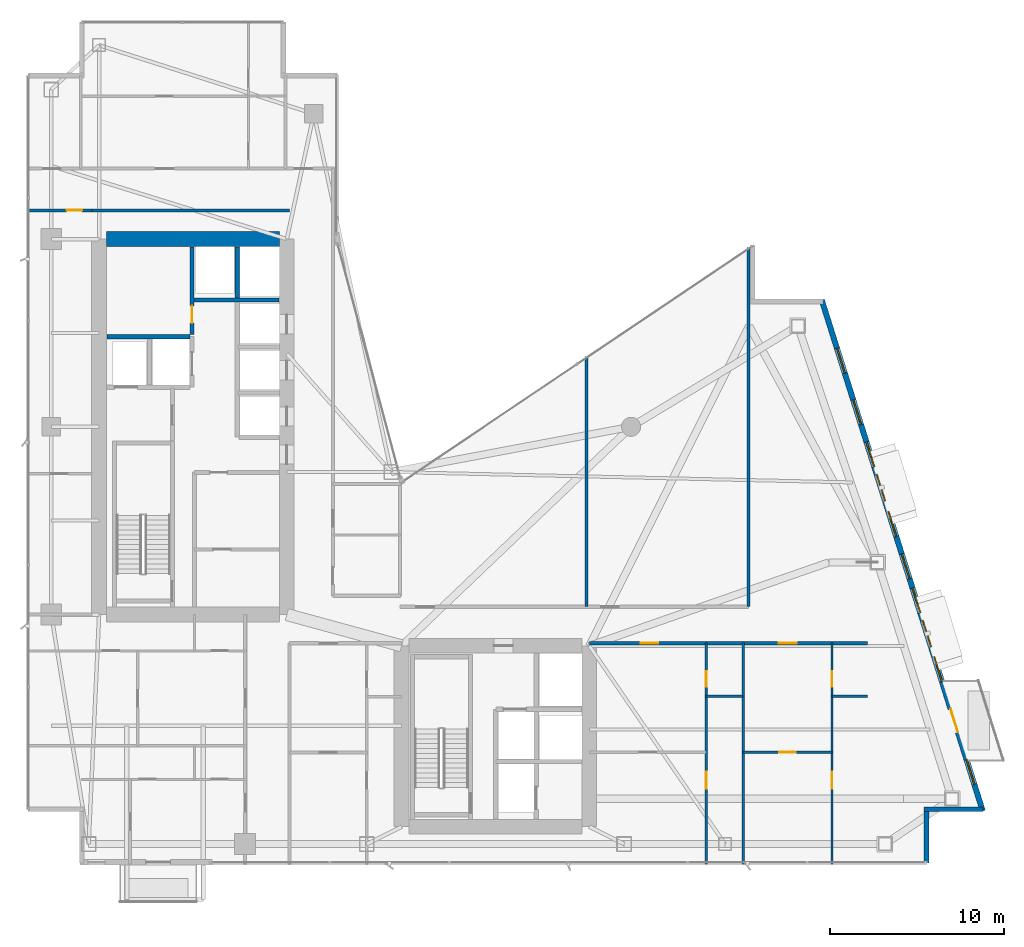
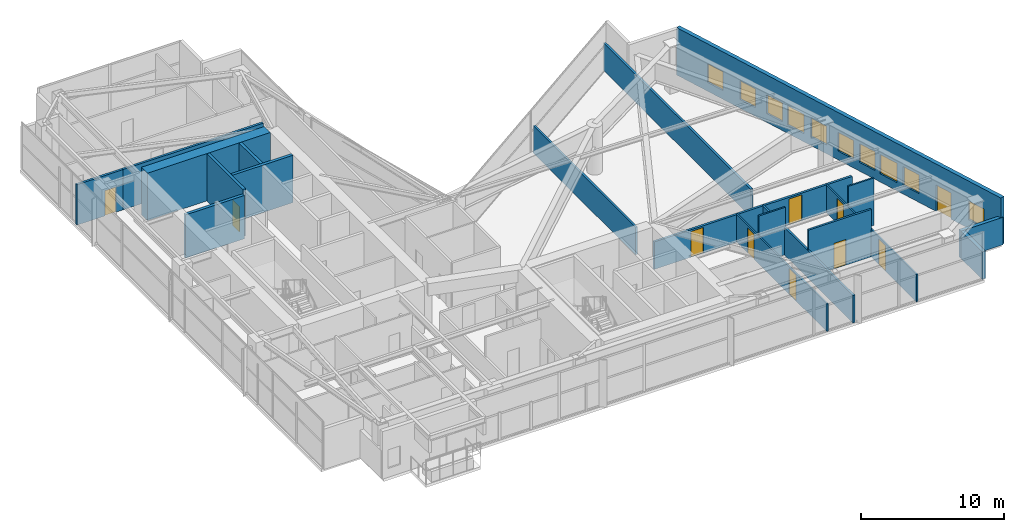
# One storey, part 26 of 30: 19 walls, 10 doors, 10 windows, 20 openings.
"""IFC4 building model written with IfcOpenShell, lengths in metres."""

from ifc_helpers import new_model, si_unit, direction, frame, frame_2d, origin, place, context, subcontext, project, spatial, rectangle, extrude, material, layer, layer_set, type_object, element, fill, save


model = new_model("IFC4")

# Units and contexts
model_context = context("Model", 3, precision=1e-05, world=origin(), true_north=direction((0.0, 1.0)))
body_context = subcontext(model_context, "Body", "Model", "MODEL_VIEW")
ifc_project = project(units=[si_unit("LENGTHUNIT", "METRE"), si_unit("AREAUNIT", "SQUARE_METRE"), si_unit("VOLUMEUNIT", "CUBIC_METRE"), si_unit("PLANEANGLEUNIT", "RADIAN"), si_unit("MASSUNIT", "GRAM", prefix="KILO")], contexts=[model_context])

# Site, building, storey
site_placement = place(None, origin())
site = spatial("IfcSite", under=ifc_project, at=site_placement, CompositionType="ELEMENT")
building_placement = place(site_placement, origin())
building = spatial("IfcBuilding", under=site, at=building_placement, Name="Calvorn Quay Hotel", CompositionType="ELEMENT")
storey_placement = place(building_placement, frame((0.0, 0.0, 195.10009765625)))
storey = spatial("IfcBuildingStorey", under=building, at=storey_placement, Name="L48", CompositionType="ELEMENT", Elevation=195.10009765625)

# Wall
ifc_material_1 = material(Name="Concrete C50", Category="concrete")
ifc_layer_1 = layer(ifc_material_1, 0.85009765625)
ifc_layer_set_1 = layer_set([ifc_layer_1], Name="WL-CORE-850")
wall_type_1 = type_object("IfcWallType", Name="WL-CORE-850", PredefinedType="SHEAR", material=ifc_layer_set_1)
wall_1_placement = place(storey_placement, frame((4.625, 38.39990234375, 0.0), z_axis=(0.0, 0.0, 1.0), x_axis=(1.0, 0.0, 0.0)))
element("IfcWall", 1, at=wall_1_placement, inside=storey, type_object=wall_type_1, Name="West Core Shear Wall N (L48)", PredefinedType="SHEAR", context=body_context, shape_type="SweptSolid", body=[
    extrude(rectangle(XDim=9.949951171875, YDim=0.85009765625, at=frame_2d((4.97509765625, 0.0))), origin(), (0.0, 0.0, 1.0), 4.0498046875),
])

# Wall, opening, door
ifc_material_2 = material(Name="Acoustic Fireboard Steel-Stud Partition", Category="steel")
ifc_layer_2 = layer(ifc_material_2, 0.179931640625)
ifc_layer_set_2 = layer_set([ifc_layer_2], Name="WL-CORR-FIRE-180")
wall_type_2 = type_object("IfcWallType", Name="WL-CORR-FIRE-180", PredefinedType="PARTITIONING", material=ifc_layer_set_2)
wall_2_placement = place(storey_placement, frame((0.080078125, 40.050048828125, 0.0), z_axis=(0.0, 0.0, 1.0), x_axis=(1.0, 0.0, 0.0)))
wall_2 = element("IfcWall", 2, at=wall_2_placement, inside=storey, type_object=wall_type_2, Name="Partition Wall L48-WL-WBAY-N-DOOR", PredefinedType="PARTITIONING", context=body_context, shape_type="SweptSolid", body=[
    extrude(rectangle(XDim=3.724853515625, YDim=0.179931640625, at=frame_2d((1.8623046875, 0.0))), origin(), (0.0, 0.0, 1.0), 3.449951171875),
])
opening_1_placement = place(wall_2_placement, frame((2.25, 0.0, 0.0)))
opening_1 = element("IfcOpeningElement", 3, at=opening_1_placement, cuts=wall_2, Name="Opening D-L48-WBN", PredefinedType="OPENING", context=body_context, shape_type="SweptSolid", body=[
    extrude(rectangle(XDim=0.89990234375, YDim=2.14990234375, at=frame_2d((0.449951171875, 1.074951171875))), frame((0.0, 0.099853515625, 0.0), z_axis=(0.0, -1.0, 0.0), x_axis=(1.0, 0.0, 0.0)), (0.0, 0.0, 1.0), 0.199951171875),
])
ifc_material_3 = material(Name="Moisture-Sealed Timber En-Suite Door", Category="wood")
door_type_1 = type_object("IfcDoorType", Name="DR-ENSUITE-900", OperationType="NOTDEFINED", PredefinedType="DOOR", material=ifc_material_3)
door_1_placement = place(opening_1_placement, origin())
door_1 = element("IfcDoor", 4, at=door_1_placement, inside=storey, type_object=door_type_1, Name="West North Bay Door (L48)", OperationType="SINGLE_SWING_LEFT", OverallHeight=2.14990234375, OverallWidth=0.89990234375, PredefinedType="DOOR", context=body_context, shape_type="SweptSolid", body=[
    extrude(rectangle(XDim=0.89990234375, YDim=2.14990234375, at=frame_2d((0.449951171875, 1.074951171875))), frame((0.0, 0.02490234375, 0.0), z_axis=(0.0, -1.0, 0.0), x_axis=(1.0, 0.0, 0.0)), (0.0, 0.0, 1.0), 0.050048828125),
])
fill(opening_1, door_1)

# Wall
wall_3_placement = place(storey_placement, frame((3.7548828125, 40.050048828125, 0.0), z_axis=(0.0, 0.0, 1.0), x_axis=(1.0, 0.0, 0.0)))
element("IfcWall", 5, at=wall_3_placement, inside=storey, type_object=wall_type_2, Name="Partition Wall L48-WL-W-SPUR-S", PredefinedType="PARTITIONING", context=body_context, shape_type="SweptSolid", body=[
    extrude(rectangle(XDim=11.39501953125, YDim=0.179931640625, at=frame_2d((5.697509765625, 0.0))), origin(), (0.0, 0.0, 1.0), 3.449951171875),
])

# Wall, openings, doors
wall_4_placement = place(storey_placement, frame((32.39990234375, 15.14990234375, 0.0), z_axis=(0.0, 0.0, 1.0), x_axis=(1.0, 0.0, 0.0)))
wall_4 = element("IfcWall", 6, at=wall_4_placement, inside=storey, type_object=wall_type_2, Name="Partition Wall L48-WL-CORR-SE-S", PredefinedType="PARTITIONING", context=body_context, shape_type="SweptSolid", body=[
    extrude(rectangle(XDim=16.0, YDim=0.179931640625, at=frame_2d((8.0, 0.0))), origin(), (0.0, 0.0, 1.0), 2.349853515625),
])
opening_2_placement = place(wall_4_placement, frame((2.949951171875, 0.0, 0.0)))
opening_2 = element("IfcOpeningElement", 7, at=opening_2_placement, cuts=wall_4, Name="Opening D-L48-U05", PredefinedType="OPENING", context=body_context, shape_type="SweptSolid", body=[
    extrude(rectangle(XDim=1.02001953125, YDim=2.199951171875, at=frame_2d((0.510009765625, 1.10009765625))), frame((0.0, 0.099853515625, 0.0), z_axis=(0.0, -1.0, 0.0), x_axis=(1.0, 0.0, 0.0)), (0.0, 0.0, 1.0), 0.199951171875),
])
opening_3_placement = place(wall_4_placement, frame((10.89990234375, 0.0, 0.0)))
opening_3 = element("IfcOpeningElement", 8, at=opening_3_placement, cuts=wall_4, Name="Opening D-L48-U06", PredefinedType="OPENING", context=body_context, shape_type="SweptSolid", body=[
    extrude(rectangle(XDim=1.02001953125, YDim=2.199951171875, at=frame_2d((0.510009765625, 1.10009765625))), frame((0.0, 0.099853515625, 0.0), z_axis=(0.0, -1.0, 0.0), x_axis=(1.0, 0.0, 0.0)), (0.0, 0.0, 1.0), 0.199951171875),
])
ifc_material_4 = material(Name="Solid-Core Walnut Veneer Hotel Fire Door")
door_type_2 = type_object("IfcDoorType", Name="DR-GUEST-ENTRY-1020", OperationType="NOTDEFINED", PredefinedType="DOOR", material=ifc_material_4)
door_2_placement = place(opening_2_placement, origin())
door_2 = element("IfcDoor", 9, at=door_2_placement, inside=storey, type_object=door_type_2, Name="South-East Unit Door U05 (L48)", OperationType="SINGLE_SWING_LEFT", OverallHeight=2.199951171875, OverallWidth=1.02001953125, PredefinedType="DOOR", context=body_context, shape_type="SweptSolid", body=[
    extrude(rectangle(XDim=1.02001953125, YDim=2.199951171875, at=frame_2d((0.510009765625, 1.10009765625))), frame((0.0, 0.02490234375, 0.0), z_axis=(0.0, -1.0, 0.0), x_axis=(1.0, 0.0, 0.0)), (0.0, 0.0, 1.0), 0.050048828125),
])
fill(opening_2, door_2)
door_3_placement = place(opening_3_placement, origin())
door_3 = element("IfcDoor", 10, at=door_3_placement, inside=storey, type_object=door_type_2, Name="South-East Unit Door U06 (L48)", OperationType="SINGLE_SWING_RIGHT", OverallHeight=2.199951171875, OverallWidth=1.02001953125, PredefinedType="DOOR", context=body_context, shape_type="SweptSolid", body=[
    extrude(rectangle(XDim=1.02001953125, YDim=2.199951171875, at=frame_2d((0.510009765625, 1.10009765625))), frame((0.0, 0.02490234375, 0.0), z_axis=(0.0, -1.0, 0.0), x_axis=(1.0, 0.0, 0.0)), (0.0, 0.0, 1.0), 0.050048828125),
])
fill(opening_3, door_3)

# Walls
wall_5_placement = place(storey_placement, frame((41.550048828125, 17.25, 0.0), z_axis=(0.0, 0.0, 1.0), x_axis=(0.0, 1.0, 0.0)))
element("IfcWall", 11, at=wall_5_placement, inside=storey, type_object=wall_type_2, Name="Partition Wall L48-WL-NE-END-E", PredefinedType="PARTITIONING", context=body_context, shape_type="SweptSolid", body=[
    extrude(rectangle(XDim=20.659912109375, YDim=0.179931640625, at=frame_2d((10.330078125, 0.0))), origin(), (0.0, 0.0, 1.0), 2.349853515625),
])
ifc_material_5 = material(Name="Moisture-Resistant Tile-Backed Partition")
ifc_layer_3 = layer(ifc_material_5, 0.125)
ifc_layer_set_3 = layer_set([ifc_layer_3], Name="WL-ENSUITE-125")
wall_type_3 = type_object("IfcWallType", Name="WL-ENSUITE-125", PredefinedType="PARTITIONING", material=ifc_layer_set_3)
wall_6_placement = place(storey_placement, frame((39.1201171875, 12.10009765625, 0.0), z_axis=(0.0, 0.0, 1.0), x_axis=(1.0, 0.0, 0.0)))
element("IfcWall", 12, at=wall_6_placement, inside=storey, type_object=wall_type_3, Name="Partition Wall L48-WL-U05-BDV", PredefinedType="PARTITIONING", context=body_context, shape_type="SweptSolid", body=[
    extrude(rectangle(XDim=2.1298828125, YDim=0.125, at=frame_2d((1.06494140625, 0.0))), origin(), (0.0, 0.0, 1.0), 4.0498046875),
])

# Wall, openings, doors
wall_7_placement = place(storey_placement, frame((39.1201171875, 2.43994140625, 0.0), z_axis=(0.0, 0.0, 1.0), x_axis=(0.0, 1.0, 0.0)))
wall_7 = element("IfcWall", 13, at=wall_7_placement, inside=storey, type_object=wall_type_3, Name="Partition Wall L48-WL-U05-BV", PredefinedType="PARTITIONING", context=body_context, shape_type="SweptSolid", body=[
    extrude(rectangle(XDim=12.7099609375, YDim=0.125, at=frame_2d((6.35498046875, 0.0))), origin(), (0.0, 0.0, 1.0), 2.349853515625),
])
opening_4_placement = place(wall_7_placement, frame((4.35009765625, 0.0, 0.0)))
opening_4 = element("IfcOpeningElement", 14, at=opening_4_placement, cuts=wall_7, Name="Opening D-L48-S05", PredefinedType="OPENING", context=body_context, shape_type="SweptSolid", body=[
    extrude(rectangle(XDim=0.9599609375, YDim=2.199951171875, at=frame_2d((0.47998046875, 1.10009765625))), frame((0.0, 0.072509765625, 0.0), z_axis=(0.0, -1.0, 0.0), x_axis=(1.0, 0.0, 0.0)), (0.0, 0.0, 1.0), 0.14501953125),
])
opening_5_placement = place(wall_7_placement, frame((10.2099609375, 0.0, 0.0)))
opening_5 = element("IfcOpeningElement", 15, at=opening_5_placement, cuts=wall_7, Name="Opening D-L48-E05", PredefinedType="OPENING", context=body_context, shape_type="SweptSolid", body=[
    extrude(rectangle(XDim=0.89990234375, YDim=2.14990234375, at=frame_2d((0.449951171875, 1.074951171875))), frame((0.0, 0.072509765625, 0.0), z_axis=(0.0, -1.0, 0.0), x_axis=(1.0, 0.0, 0.0)), (0.0, 0.0, 1.0), 0.14501953125),
])
door_4_placement = place(opening_5_placement, origin())
door_4 = element("IfcDoor", 16, at=door_4_placement, inside=storey, type_object=door_type_1, Name="En-Suite Door 05", OperationType="SINGLE_SWING_RIGHT", OverallHeight=2.14990234375, OverallWidth=0.89990234375, PredefinedType="DOOR", context=body_context, shape_type="SweptSolid", body=[
    extrude(rectangle(XDim=0.89990234375, YDim=2.14990234375, at=frame_2d((0.449951171875, 1.074951171875))), frame((0.0, 0.02490234375, 0.0), z_axis=(0.0, -1.0, 0.0), x_axis=(1.0, 0.0, 0.0)), (0.0, 0.0, 1.0), 0.050048828125),
])
fill(opening_5, door_4)
ifc_material_6 = material(Name="Solid Timber Internal Suite Door", Category="wood")
door_type_3 = type_object("IfcDoorType", Name="DR-SUITE-INT-960", OperationType="NOTDEFINED", PredefinedType="DOOR", material=ifc_material_6)
door_5_placement = place(opening_4_placement, origin())
door_5 = element("IfcDoor", 17, at=door_5_placement, inside=storey, type_object=door_type_3, Name="Harbour Dining Den Door 05", OperationType="SINGLE_SWING_LEFT", OverallHeight=2.199951171875, OverallWidth=0.9599609375, PredefinedType="DOOR", context=body_context, shape_type="SweptSolid", body=[
    extrude(rectangle(XDim=0.9599609375, YDim=2.199951171875, at=frame_2d((0.47998046875, 1.10009765625))), frame((0.0, 0.02490234375, 0.0), z_axis=(0.0, -1.0, 0.0), x_axis=(1.0, 0.0, 0.0)), (0.0, 0.0, 1.0), 0.050048828125),
])
fill(opening_4, door_5)

# Wall
wall_8_placement = place(storey_placement, frame((46.360107421875, 12.10009765625, 0.0), z_axis=(0.0, 0.0, 1.0), x_axis=(1.0, 0.0, 0.0)))
element("IfcWall", 18, at=wall_8_placement, inside=storey, type_object=wall_type_3, Name="Partition Wall L48-WL-U06-BDV", PredefinedType="PARTITIONING", context=body_context, shape_type="SweptSolid", body=[
    extrude(rectangle(XDim=2.039794921875, YDim=0.125, at=frame_2d((1.02001953125, 0.0))), origin(), (0.0, 0.0, 1.0), 4.0498046875),
])

# Wall, openings, doors
wall_9_placement = place(storey_placement, frame((46.360107421875, 2.43994140625, 0.0), z_axis=(0.0, 0.0, 1.0), x_axis=(0.0, 1.0, 0.0)))
wall_9 = element("IfcWall", 19, at=wall_9_placement, inside=storey, type_object=wall_type_3, Name="Partition Wall L48-WL-U06-BV", PredefinedType="PARTITIONING", context=body_context, shape_type="SweptSolid", body=[
    extrude(rectangle(XDim=12.7099609375, YDim=0.125, at=frame_2d((6.35498046875, 0.0))), origin(), (0.0, 0.0, 1.0), 2.349853515625),
])
opening_6_placement = place(wall_9_placement, frame((4.35009765625, 0.0, 0.0)))
opening_6 = element("IfcOpeningElement", 20, at=opening_6_placement, cuts=wall_9, Name="Opening D-L48-S06", PredefinedType="OPENING", context=body_context, shape_type="SweptSolid", body=[
    extrude(rectangle(XDim=0.9599609375, YDim=2.199951171875, at=frame_2d((0.47998046875, 1.10009765625))), frame((0.0, 0.072509765625, 0.0), z_axis=(0.0, -1.0, 0.0), x_axis=(1.0, 0.0, 0.0)), (0.0, 0.0, 1.0), 0.14501953125),
])
opening_7_placement = place(wall_9_placement, frame((10.2099609375, 0.0, 0.0)))
opening_7 = element("IfcOpeningElement", 21, at=opening_7_placement, cuts=wall_9, Name="Opening D-L48-E06", PredefinedType="OPENING", context=body_context, shape_type="SweptSolid", body=[
    extrude(rectangle(XDim=0.89990234375, YDim=2.14990234375, at=frame_2d((0.449951171875, 1.074951171875))), frame((0.0, 0.072509765625, 0.0), z_axis=(0.0, -1.0, 0.0), x_axis=(1.0, 0.0, 0.0)), (0.0, 0.0, 1.0), 0.14501953125),
])
door_6_placement = place(opening_7_placement, origin())
door_6 = element("IfcDoor", 22, at=door_6_placement, inside=storey, type_object=door_type_1, Name="En-Suite Door 06", OperationType="SINGLE_SWING_RIGHT", OverallHeight=2.14990234375, OverallWidth=0.89990234375, PredefinedType="DOOR", context=body_context, shape_type="SweptSolid", body=[
    extrude(rectangle(XDim=0.89990234375, YDim=2.14990234375, at=frame_2d((0.449951171875, 1.074951171875))), frame((0.0, 0.02490234375, 0.0), z_axis=(0.0, -1.0, 0.0), x_axis=(1.0, 0.0, 0.0)), (0.0, 0.0, 1.0), 0.050048828125),
])
fill(opening_7, door_6)
door_7_placement = place(opening_6_placement, origin())
door_7 = element("IfcDoor", 23, at=door_7_placement, inside=storey, type_object=door_type_3, Name="Harbour Dining Den Door 06", OperationType="SINGLE_SWING_LEFT", OverallHeight=2.199951171875, OverallWidth=0.9599609375, PredefinedType="DOOR", context=body_context, shape_type="SweptSolid", body=[
    extrude(rectangle(XDim=0.9599609375, YDim=2.199951171875, at=frame_2d((0.47998046875, 1.10009765625))), frame((0.0, 0.02490234375, 0.0), z_axis=(0.0, -1.0, 0.0), x_axis=(1.0, 0.0, 0.0)), (0.0, 0.0, 1.0), 0.050048828125),
])
fill(opening_6, door_7)

# Walls
ifc_material_7 = material(Name="Concrete C40", Category="concrete")
ifc_layer_4 = layer(ifc_material_7, 0.320068359375)
ifc_layer_set_4 = layer_set([ifc_layer_4], Name="WL-EXT-SPANDREL-320")
wall_type_4 = type_object("IfcWallType", Name="WL-EXT-SPANDREL-320", PredefinedType="SOLIDWALL", material=ifc_layer_set_4)
wall_10_placement = place(storey_placement, frame((51.800048828125, 2.52001953125, 0.0), z_axis=(0.0, 0.0, 1.0), x_axis=(0.0, 1.0, 0.0)))
element("IfcWall", 24, at=wall_10_placement, inside=storey, type_object=wall_type_4, Name="Notched Corner Spandrel L48-SE1", PredefinedType="SOLIDWALL", context=body_context, shape_type="SweptSolid", body=[
    extrude(rectangle(XDim=2.93994140625, YDim=0.280029296875, at=frame_2d((1.469970703125, 0.0))), origin(), (0.0, 0.0, 1.0), 2.349853515625),
])
wall_11_placement = place(storey_placement, frame((51.659912109375, 5.60009765625, 0.0), z_axis=(0.0, 0.0, 1.0), x_axis=(1.0, 0.0, 0.0)))
element("IfcWall", 25, at=wall_11_placement, inside=storey, type_object=wall_type_4, Name="Notched Corner Spandrel L48-SE2", PredefinedType="SOLIDWALL", context=body_context, shape_type="SweptSolid", body=[
    extrude(rectangle(XDim=3.380126953125, YDim=0.280029296875, at=frame_2d((1.68994140625, 0.0))), origin(), (0.0, 0.0, 1.0), 2.349853515625),
])

# Wall, openings, door, windows
wall_12_placement = place(storey_placement, frame((55.030029296875, 5.5048828125, 0.0), z_axis=(0.0, 0.0, 1.0), x_axis=(-0.300509063924, 0.953778958931, 0.0)))
wall_12 = element("IfcWall", 26, at=wall_12_placement, inside=storey, type_object=wall_type_4, Name="East Stepped Waterfront Exterior Wall (L48)", PredefinedType="SOLIDWALL", context=body_context, shape_type="SweptSolid", body=[
    extrude(rectangle(XDim=30.814453125, YDim=0.320068359375, at=frame_2d((15.4072265625, 0.0))), origin(), (0.0, 0.0, 1.0), 4.0498046875),
])
opening_8_placement = place(wall_12_placement, frame((4.7470703125, 0.0, 0.0)))
opening_8 = element("IfcOpeningElement", 27, at=opening_8_placement, cuts=wall_12, Name="Opening DB-L48-1", PredefinedType="OPENING", context=body_context, shape_type="SweptSolid", body=[
    extrude(rectangle(XDim=1.39990234375, YDim=2.25, at=frame_2d((0.699951171875, 1.125))), frame((0.0, 0.169921875, 0.0), z_axis=(0.0, -1.0, 0.0), x_axis=(1.0, 0.0, 0.0)), (0.0, 0.0, 1.0), 0.340087890625),
])
opening_9_placement = place(wall_12_placement, frame((9.888916015625, 0.0, 0.699951171875)))
opening_9 = element("IfcOpeningElement", 28, at=opening_9_placement, cuts=wall_12, Name="Opening WHD-L48-1", PredefinedType="OPENING", context=body_context, shape_type="SweptSolid", body=[
    extrude(rectangle(XDim=1.60009765625, YDim=1.64990234375, at=frame_2d((0.800048828125, 0.824951171875))), frame((0.0, 0.169921875, 0.0), z_axis=(0.0, -1.0, 0.0), x_axis=(1.0, 0.0, 0.0)), (0.0, 0.0, 1.0), 0.340087890625),
])
opening_10_placement = place(wall_12_placement, frame((18.696044921875, 0.0, 0.699951171875)))
opening_10 = element("IfcOpeningElement", 29, at=opening_10_placement, cuts=wall_12, Name="Opening WHD-L48-2", PredefinedType="OPENING", context=body_context, shape_type="SweptSolid", body=[
    extrude(rectangle(XDim=1.60009765625, YDim=1.64990234375, at=frame_2d((0.800048828125, 0.824951171875))), frame((0.0, 0.169921875, 0.0), z_axis=(0.0, -1.0, 0.0), x_axis=(1.0, 0.0, 0.0)), (0.0, 0.0, 1.0), 0.340087890625),
])
opening_11_placement = place(wall_12_placement, frame((1.60009765625, 0.0, 0.75)))
opening_11 = element("IfcOpeningElement", 30, at=opening_11_placement, cuts=wall_12, Name="Opening WG-L48-E1", PredefinedType="OPENING", context=body_context, shape_type="SweptSolid", body=[
    extrude(rectangle(XDim=1.5, YDim=1.60009765625, at=frame_2d((0.75, 0.800048828125))), frame((0.0, 0.169921875, 0.0), z_axis=(0.0, -1.0, 0.0), x_axis=(1.0, 0.0, 0.0)), (0.0, 0.0, 1.0), 0.340087890625),
])
opening_12_placement = place(wall_12_placement, frame((7.800048828125, 0.0, 0.75)))
opening_12 = element("IfcOpeningElement", 31, at=opening_12_placement, cuts=wall_12, Name="Opening WG-L48-E2", PredefinedType="OPENING", context=body_context, shape_type="SweptSolid", body=[
    extrude(rectangle(XDim=1.5, YDim=1.60009765625, at=frame_2d((0.75, 0.800048828125))), frame((0.0, 0.169921875, 0.0), z_axis=(0.0, -1.0, 0.0), x_axis=(1.0, 0.0, 0.0)), (0.0, 0.0, 1.0), 0.340087890625),
])
opening_13_placement = place(wall_12_placement, frame((11.949951171875, 0.0, 0.75)))
opening_13 = element("IfcOpeningElement", 32, at=opening_13_placement, cuts=wall_12, Name="Opening WG-L48-E3", PredefinedType="OPENING", context=body_context, shape_type="SweptSolid", body=[
    extrude(rectangle(XDim=1.5, YDim=1.60009765625, at=frame_2d((0.75, 0.800048828125))), frame((0.0, 0.169921875, 0.0), z_axis=(0.0, -1.0, 0.0), x_axis=(1.0, 0.0, 0.0)), (0.0, 0.0, 1.0), 0.340087890625),
])
opening_14_placement = place(wall_12_placement, frame((14.0, 0.0, 0.75)))
opening_14 = element("IfcOpeningElement", 33, at=opening_14_placement, cuts=wall_12, Name="Opening WG-L48-E4", PredefinedType="OPENING", context=body_context, shape_type="SweptSolid", body=[
    extrude(rectangle(XDim=1.5, YDim=1.60009765625, at=frame_2d((0.75, 0.800048828125))), frame((0.0, 0.169921875, 0.0), z_axis=(0.0, -1.0, 0.0), x_axis=(1.0, 0.0, 0.0)), (0.0, 0.0, 1.0), 0.340087890625),
])
opening_15_placement = place(wall_12_placement, frame((16.550048828125, 0.0, 0.75)))
opening_15 = element("IfcOpeningElement", 34, at=opening_15_placement, cuts=wall_12, Name="Opening WG-L48-E5", PredefinedType="OPENING", context=body_context, shape_type="SweptSolid", body=[
    extrude(rectangle(XDim=1.5, YDim=1.60009765625, at=frame_2d((0.75, 0.800048828125))), frame((0.0, 0.169921875, 0.0), z_axis=(0.0, -1.0, 0.0), x_axis=(1.0, 0.0, 0.0)), (0.0, 0.0, 1.0), 0.340087890625),
])
opening_16_placement = place(wall_12_placement, frame((20.75, 0.0, 0.75)))
opening_16 = element("IfcOpeningElement", 35, at=opening_16_placement, cuts=wall_12, Name="Opening WG-L48-E6", PredefinedType="OPENING", context=body_context, shape_type="SweptSolid", body=[
    extrude(rectangle(XDim=1.5, YDim=1.60009765625, at=frame_2d((0.75, 0.800048828125))), frame((0.0, 0.169921875, 0.0), z_axis=(0.0, -1.0, 0.0), x_axis=(1.0, 0.0, 0.0)), (0.0, 0.0, 1.0), 0.340087890625),
])
opening_17_placement = place(wall_12_placement, frame((23.300048828125, 0.0, 0.75)))
opening_17 = element("IfcOpeningElement", 36, at=opening_17_placement, cuts=wall_12, Name="Opening WG-L48-E7", PredefinedType="OPENING", context=body_context, shape_type="SweptSolid", body=[
    extrude(rectangle(XDim=1.5, YDim=1.60009765625, at=frame_2d((0.75, 0.800048828125))), frame((0.0, 0.169921875, 0.0), z_axis=(0.0, -1.0, 0.0), x_axis=(1.0, 0.0, 0.0)), (0.0, 0.0, 1.0), 0.340087890625),
])
opening_18_placement = place(wall_12_placement, frame((26.39990234375, 0.0, 0.75)))
opening_18 = element("IfcOpeningElement", 37, at=opening_18_placement, cuts=wall_12, Name="Opening WG-L48-E8", PredefinedType="OPENING", context=body_context, shape_type="SweptSolid", body=[
    extrude(rectangle(XDim=1.5, YDim=1.60009765625, at=frame_2d((0.75, 0.800048828125))), frame((0.0, 0.169921875, 0.0), z_axis=(0.0, -1.0, 0.0), x_axis=(1.0, 0.0, 0.0)), (0.0, 0.0, 1.0), 0.340087890625),
])
ifc_material_8 = material(Name="Typhoon-Rated Low-E Aluminium Terrace Door", Category="aluminium")
door_type_4 = type_object("IfcDoorType", Name="DR-BALCONY-GLZ-1400", OperationType="NOTDEFINED", PredefinedType="DOOR", material=ifc_material_8)
door_8_placement = place(opening_8_placement, origin())
door_8 = element("IfcDoor", 38, at=door_8_placement, inside=storey, type_object=door_type_4, Name="Tree Balcony Terrace Door L48-BALC-E", OperationType="SINGLE_SWING_LEFT", OverallHeight=2.25, OverallWidth=1.39990234375, PredefinedType="DOOR", context=body_context, shape_type="SweptSolid", body=[
    extrude(rectangle(XDim=1.39990234375, YDim=2.25, at=frame_2d((0.699951171875, 1.125))), frame((0.0, 0.02490234375, 0.0), z_axis=(0.0, -1.0, 0.0), x_axis=(1.0, 0.0, 0.0)), (0.0, 0.0, 1.0), 0.050048828125),
])
fill(opening_8, door_8)
ifc_material_9 = material(Name="Champagne-Bronze Aluminium Low-E Window", Category="aluminium")
window_type_1 = type_object("IfcWindowType", Name="WIN-GUEST-SIDE-1600x2100", PartitioningType="SINGLE_PANEL", PredefinedType="WINDOW", material=ifc_material_9)
window_1_placement = place(opening_9_placement, origin())
window_1 = element("IfcWindow", 39, at=window_1_placement, inside=storey, type_object=window_type_1, Name="Bay Hood Window L48-HOOD-2", OverallHeight=1.64990234375, OverallWidth=1.60009765625, PartitioningType="SINGLE_PANEL", PredefinedType="WINDOW", context=body_context, shape_type="SweptSolid", body=[
    extrude(rectangle(XDim=1.60009765625, YDim=1.64990234375, at=frame_2d((0.800048828125, 0.824951171875))), frame((0.0, 0.030029296875, 0.0), z_axis=(0.0, -1.0, 0.0), x_axis=(1.0, 0.0, 0.0)), (0.0, 0.0, 1.0), 0.06005859375),
])
fill(opening_9, window_1)
window_2_placement = place(opening_10_placement, origin())
window_2 = element("IfcWindow", 40, at=window_2_placement, inside=storey, type_object=window_type_1, Name="Bay Hood Window L48-HOOD-3", OverallHeight=1.64990234375, OverallWidth=1.60009765625, PartitioningType="SINGLE_PANEL", PredefinedType="WINDOW", context=body_context, shape_type="SweptSolid", body=[
    extrude(rectangle(XDim=1.60009765625, YDim=1.64990234375, at=frame_2d((0.800048828125, 0.824951171875))), frame((0.0, 0.030029296875, 0.0), z_axis=(0.0, -1.0, 0.0), x_axis=(1.0, 0.0, 0.0)), (0.0, 0.0, 1.0), 0.06005859375),
])
fill(opening_10, window_2)
ifc_material_10 = material(Name="Self-Closing Class B Fire Window")
window_type_2 = type_object("IfcWindowType", Name="WIN-REFUGE-1500x1600", PartitioningType="SINGLE_PANEL", PredefinedType="WINDOW", material=ifc_material_10)
window_3_placement = place(opening_11_placement, origin())
window_3 = element("IfcWindow", 41, at=window_3_placement, inside=storey, type_object=window_type_2, Name="East Facade Window L48-E1", OverallHeight=1.60009765625, OverallWidth=1.5, PartitioningType="SINGLE_PANEL", PredefinedType="WINDOW", context=body_context, shape_type="SweptSolid", body=[
    extrude(rectangle(XDim=1.5, YDim=1.60009765625, at=frame_2d((0.75, 0.800048828125))), frame((0.0, 0.030029296875, 0.0), z_axis=(0.0, -1.0, 0.0), x_axis=(1.0, 0.0, 0.0)), (0.0, 0.0, 1.0), 0.06005859375),
])
fill(opening_11, window_3)
window_4_placement = place(opening_12_placement, origin())
window_4 = element("IfcWindow", 42, at=window_4_placement, inside=storey, type_object=window_type_2, Name="East Facade Window L48-E2", OverallHeight=1.60009765625, OverallWidth=1.5, PartitioningType="SINGLE_PANEL", PredefinedType="WINDOW", context=body_context, shape_type="SweptSolid", body=[
    extrude(rectangle(XDim=1.5, YDim=1.60009765625, at=frame_2d((0.75, 0.800048828125))), frame((0.0, 0.030029296875, 0.0), z_axis=(0.0, -1.0, 0.0), x_axis=(1.0, 0.0, 0.0)), (0.0, 0.0, 1.0), 0.06005859375),
])
fill(opening_12, window_4)
window_5_placement = place(opening_13_placement, origin())
window_5 = element("IfcWindow", 43, at=window_5_placement, inside=storey, type_object=window_type_2, Name="East Facade Window L48-E3", OverallHeight=1.60009765625, OverallWidth=1.5, PartitioningType="SINGLE_PANEL", PredefinedType="WINDOW", context=body_context, shape_type="SweptSolid", body=[
    extrude(rectangle(XDim=1.5, YDim=1.60009765625, at=frame_2d((0.75, 0.800048828125))), frame((0.0, 0.030029296875, 0.0), z_axis=(0.0, -1.0, 0.0), x_axis=(1.0, 0.0, 0.0)), (0.0, 0.0, 1.0), 0.06005859375),
])
fill(opening_13, window_5)
window_6_placement = place(opening_14_placement, origin())
window_6 = element("IfcWindow", 44, at=window_6_placement, inside=storey, type_object=window_type_2, Name="East Facade Window L48-E4", OverallHeight=1.60009765625, OverallWidth=1.5, PartitioningType="SINGLE_PANEL", PredefinedType="WINDOW", context=body_context, shape_type="SweptSolid", body=[
    extrude(rectangle(XDim=1.5, YDim=1.60009765625, at=frame_2d((0.75, 0.800048828125))), frame((0.0, 0.030029296875, 0.0), z_axis=(0.0, -1.0, 0.0), x_axis=(1.0, 0.0, 0.0)), (0.0, 0.0, 1.0), 0.06005859375),
])
fill(opening_14, window_6)
window_7_placement = place(opening_15_placement, origin())
window_7 = element("IfcWindow", 45, at=window_7_placement, inside=storey, type_object=window_type_2, Name="East Facade Window L48-E5", OverallHeight=1.60009765625, OverallWidth=1.5, PartitioningType="SINGLE_PANEL", PredefinedType="WINDOW", context=body_context, shape_type="SweptSolid", body=[
    extrude(rectangle(XDim=1.5, YDim=1.60009765625, at=frame_2d((0.75, 0.800048828125))), frame((0.0, 0.030029296875, 0.0), z_axis=(0.0, -1.0, 0.0), x_axis=(1.0, 0.0, 0.0)), (0.0, 0.0, 1.0), 0.06005859375),
])
fill(opening_15, window_7)
window_8_placement = place(opening_16_placement, origin())
window_8 = element("IfcWindow", 46, at=window_8_placement, inside=storey, type_object=window_type_2, Name="East Facade Window L48-E6", OverallHeight=1.60009765625, OverallWidth=1.5, PartitioningType="SINGLE_PANEL", PredefinedType="WINDOW", context=body_context, shape_type="SweptSolid", body=[
    extrude(rectangle(XDim=1.5, YDim=1.60009765625, at=frame_2d((0.75, 0.800048828125))), frame((0.0, 0.030029296875, 0.0), z_axis=(0.0, -1.0, 0.0), x_axis=(1.0, 0.0, 0.0)), (0.0, 0.0, 1.0), 0.06005859375),
])
fill(opening_16, window_8)
window_9_placement = place(opening_17_placement, origin())
window_9 = element("IfcWindow", 47, at=window_9_placement, inside=storey, type_object=window_type_2, Name="East Facade Window L48-E7", OverallHeight=1.60009765625, OverallWidth=1.5, PartitioningType="SINGLE_PANEL", PredefinedType="WINDOW", context=body_context, shape_type="SweptSolid", body=[
    extrude(rectangle(XDim=1.5, YDim=1.60009765625, at=frame_2d((0.75, 0.800048828125))), frame((0.0, 0.030029296875, 0.0), z_axis=(0.0, -1.0, 0.0), x_axis=(1.0, 0.0, 0.0)), (0.0, 0.0, 1.0), 0.06005859375),
])
fill(opening_17, window_9)
window_10_placement = place(opening_18_placement, origin())
window_10 = element("IfcWindow", 48, at=window_10_placement, inside=storey, type_object=window_type_2, Name="East Facade Window L48-E8", OverallHeight=1.60009765625, OverallWidth=1.5, PartitioningType="SINGLE_PANEL", PredefinedType="WINDOW", context=body_context, shape_type="SweptSolid", body=[
    extrude(rectangle(XDim=1.5, YDim=1.60009765625, at=frame_2d((0.75, 0.800048828125))), frame((0.0, 0.030029296875, 0.0), z_axis=(0.0, -1.0, 0.0), x_axis=(1.0, 0.0, 0.0)), (0.0, 0.0, 1.0), 0.06005859375),
])
fill(opening_18, window_10)

# Wall, opening, door
ifc_material_11 = material(Name="Double-Stud Acoustic Gypsum Partition")
ifc_layer_5 = layer(ifc_material_11, 0.159912109375)
ifc_layer_set_5 = layer_set([ifc_layer_5], Name="WL-INTERSUITE-160")
wall_type_5 = type_object("IfcWallType", Name="WL-INTERSUITE-160", PredefinedType="PARTITIONING", material=ifc_layer_set_5)
wall_13_placement = place(storey_placement, frame((41.25, 8.8798828125, 0.0), z_axis=(0.0, 0.0, 1.0), x_axis=(1.0, 0.0, 0.0)))
wall_13 = element("IfcWall", 49, at=wall_13_placement, inside=storey, type_object=wall_type_5, Name="Partition Wall L48-WL-U06-MSP", PredefinedType="PARTITIONING", context=body_context, shape_type="SweptSolid", body=[
    extrude(rectangle(XDim=5.110107421875, YDim=0.159912109375, at=frame_2d((2.55517578125, 0.0))), origin(), (0.0, 0.0, 1.0), 4.0498046875),
])
opening_19_placement = place(wall_13_placement, frame((2.070068359375, 0.0, 0.0)))
opening_19 = element("IfcOpeningElement", 50, at=opening_19_placement, cuts=wall_13, Name="Opening D-L48-M06", PredefinedType="OPENING", context=body_context, shape_type="SweptSolid", body=[
    extrude(rectangle(XDim=0.9599609375, YDim=2.199951171875, at=frame_2d((0.47998046875, 1.10009765625))), frame((0.0, 0.08984375, 0.0), z_axis=(0.0, -1.0, 0.0), x_axis=(1.0, 0.0, 0.0)), (0.0, 0.0, 1.0), 0.179931640625),
])
door_9_placement = place(opening_19_placement, origin())
door_9 = element("IfcDoor", 51, at=door_9_placement, inside=storey, type_object=door_type_3, Name="Suite Bedroom Door 06", OperationType="SINGLE_SWING_LEFT", OverallHeight=2.199951171875, OverallWidth=0.9599609375, PredefinedType="DOOR", context=body_context, shape_type="SweptSolid", body=[
    extrude(rectangle(XDim=0.9599609375, YDim=2.199951171875, at=frame_2d((0.47998046875, 1.10009765625))), frame((0.0, 0.02490234375, 0.0), z_axis=(0.0, -1.0, 0.0), x_axis=(1.0, 0.0, 0.0)), (0.0, 0.0, 1.0), 0.050048828125),
])
fill(opening_19, door_9)

# Walls
wall_14_placement = place(storey_placement, frame((41.25, 2.43994140625, 0.0), z_axis=(0.0, 0.0, 1.0), x_axis=(0.0, 1.0, 0.0)))
element("IfcWall", 52, at=wall_14_placement, inside=storey, type_object=wall_type_5, Name="Partition Wall L48-WL-SE-DIV-1", PredefinedType="PARTITIONING", context=body_context, shape_type="SweptSolid", body=[
    extrude(rectangle(XDim=12.7099609375, YDim=0.159912109375, at=frame_2d((6.35498046875, 0.0))), origin(), (0.0, 0.0, 1.0), 2.349853515625),
])
wall_15_placement = place(storey_placement, frame((32.22998046875, 17.25, 0.0), z_axis=(0.0, 0.0, 1.0), x_axis=(0.0, 1.0, 0.0)))
element("IfcWall", 53, at=wall_15_placement, inside=storey, type_object=wall_type_5, Name="Partition Wall L48-WL-NE-DIV-1", PredefinedType="PARTITIONING", context=body_context, shape_type="SweptSolid", body=[
    extrude(rectangle(XDim=14.389892578125, YDim=0.159912109375, at=frame_2d((7.19482421875, 0.0))), origin(), (0.0, 0.0, 1.0), 2.349853515625),
])

# Wall, opening, door
ifc_material_12 = material(Name="Autoclaved Aerated Masonry Block", Category="masonry")
ifc_layer_6 = layer(ifc_material_12, 0.219970703125)
ifc_layer_set_6 = layer_set([ifc_layer_6], Name="WL-LOBBY-FIRE-220")
wall_type_6 = type_object("IfcWallType", Name="WL-LOBBY-FIRE-220", PredefinedType="SOLIDWALL", material=ifc_layer_set_6)
wall_16_placement = place(storey_placement, frame((9.5400390625, 32.919921875, 0.0), z_axis=(0.0, 0.0, 1.0), x_axis=(0.0, 1.0, 0.0)))
wall_16 = element("IfcWall", 54, at=wall_16_placement, inside=storey, type_object=wall_type_6, Name="Partition Wall L48-WL-CWW-K-E", PredefinedType="SOLIDWALL", context=body_context, shape_type="SweptSolid", body=[
    extrude(rectangle(XDim=5.03515625, YDim=0.219970703125, at=frame_2d((2.517578125, 0.0))), origin(), (0.0, 0.0, 1.0), 4.0498046875),
])
opening_20_placement = place(wall_16_placement, frame((0.64990234375, 0.0, 0.0)))
opening_20 = element("IfcOpeningElement", 55, at=opening_20_placement, cuts=wall_16, Name="Opening D-L48-CK1", PredefinedType="OPENING", context=body_context, shape_type="SweptSolid", body=[
    extrude(rectangle(XDim=0.97998046875, YDim=2.14990234375, at=frame_2d((0.489990234375, 1.074951171875))), frame((0.0, 0.119873046875, 0.0), z_axis=(0.0, -1.0, 0.0), x_axis=(1.0, 0.0, 0.0)), (0.0, 0.0, 1.0), 0.239990234375),
])
ifc_material_13 = material(Name="Painted Steel Housekeeping/Riser Fire Door", Category="steel")
door_type_5 = type_object("IfcDoorType", Name="DR-SERVICE-980", OperationType="NOTDEFINED", PredefinedType="DOOR", material=ifc_material_13)
door_10_placement = place(opening_20_placement, origin())
door_10 = element("IfcDoor", 56, at=door_10_placement, inside=storey, type_object=door_type_5, Name="Core Linen Room Door (L48)", OperationType="SINGLE_SWING_LEFT", OverallHeight=2.14990234375, OverallWidth=0.97998046875, PredefinedType="DOOR", context=body_context, shape_type="SweptSolid", body=[
    extrude(rectangle(XDim=0.97998046875, YDim=2.14990234375, at=frame_2d((0.489990234375, 1.074951171875))), frame((0.0, 0.02490234375, 0.0), z_axis=(0.0, -1.0, 0.0), x_axis=(1.0, 0.0, 0.0)), (0.0, 0.0, 1.0), 0.050048828125),
])
fill(opening_20, door_10)

# Walls
ifc_material_14 = material(Name="Concrete C40", Category="concrete")
ifc_layer_7 = layer(ifc_material_14, 0.239990234375)
ifc_layer_set_7 = layer_set([ifc_layer_7], Name="WL-SHAFT-240")
wall_type_7 = type_object("IfcWallType", Name="WL-SHAFT-240", PredefinedType="SOLIDWALL", material=ifc_layer_set_7)
wall_17_placement = place(storey_placement, frame((4.64501953125, 32.780029296875, 0.0), z_axis=(0.0, 0.0, 1.0), x_axis=(1.0, 0.0, 0.0)))
element("IfcWall", 57, at=wall_17_placement, inside=storey, type_object=wall_type_7, Name="Partition Wall L48-WL-CWW-SLW-N", PredefinedType="SOLIDWALL", context=body_context, shape_type="SweptSolid", body=[
    extrude(rectangle(XDim=4.77490234375, YDim=0.239990234375, at=frame_2d((2.387451171875, 0.0))), origin(), (0.0, 0.0, 1.0), 3.699951171875),
])
wall_18_placement = place(storey_placement, frame((9.659912109375, 34.89990234375, 0.0), z_axis=(0.0, 0.0, 1.0), x_axis=(1.0, 0.0, 0.0)))
element("IfcWall", 58, at=wall_18_placement, inside=storey, type_object=wall_type_7, Name="Partition Wall L48-WL-CWW-PLH-S", PredefinedType="SOLIDWALL", context=body_context, shape_type="SweptSolid", body=[
    extrude(rectangle(XDim=4.89501953125, YDim=0.239990234375, at=frame_2d((2.447509765625, 0.0))), origin(), (0.0, 0.0, 1.0), 4.0498046875),
])
wall_19_placement = place(storey_placement, frame((12.14990234375, 35.02001953125, 0.0), z_axis=(0.0, 0.0, 1.0), x_axis=(0.0, 1.0, 0.0)))
element("IfcWall", 59, at=wall_19_placement, inside=storey, type_object=wall_type_7, Name="Partition Wall L48-WL-CWW-PLH-DIV", PredefinedType="SOLIDWALL", context=body_context, shape_type="SweptSolid", body=[
    extrude(rectangle(XDim=2.93505859375, YDim=0.239990234375, at=frame_2d((1.467529296875, 0.0))), origin(), (0.0, 0.0, 1.0), 4.0498046875),
])

save(model, "model.ifc")
